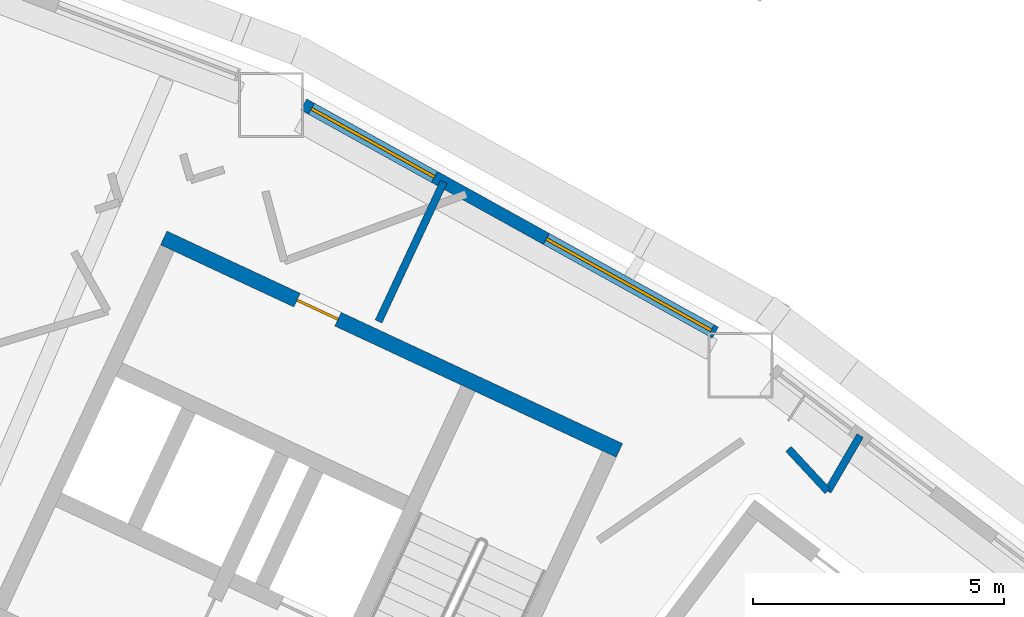
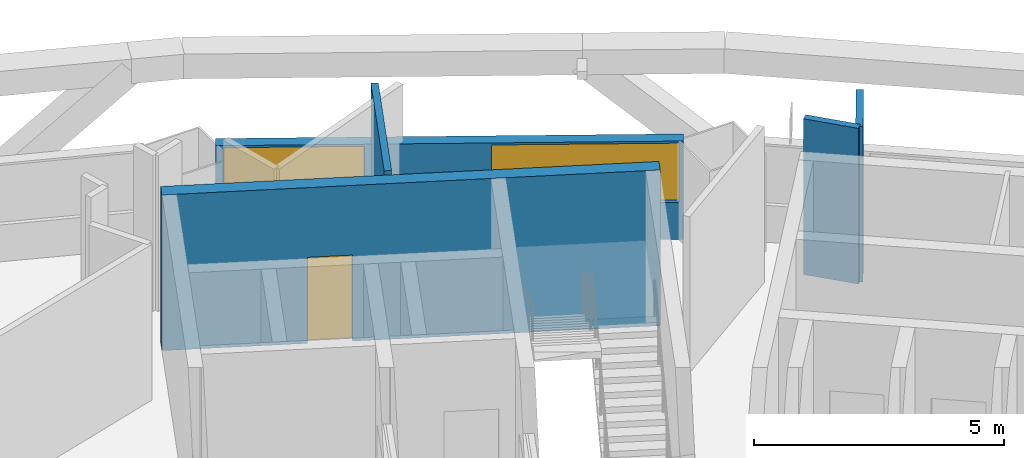
# One storey, part 8 of 19: 5 walls, 2 windows, 1 door, 3 openings.
"""IFC4 building model written with IfcOpenShell, lengths in metres."""

from ifc_helpers import new_model, si_unit, direction, frame, frame_2d, origin, place, context, subcontext, project, spatial, rectangle, extrude, material, layer, layer_set, type_object, element, fill, save


model = new_model("IFC4")

# Units and contexts
model_context = context("Model", 3, precision=1e-05, world=origin(), true_north=direction((0.0, 1.0)))
body_context = subcontext(model_context, "Body", "Model", "MODEL_VIEW")
ifc_project = project(units=[si_unit("LENGTHUNIT", "METRE"), si_unit("AREAUNIT", "SQUARE_METRE"), si_unit("VOLUMEUNIT", "CUBIC_METRE"), si_unit("PLANEANGLEUNIT", "RADIAN"), si_unit("MASSUNIT", "GRAM", prefix="KILO")], contexts=[model_context])

# Site, building, storey
site_placement = place(None, origin())
site = spatial("IfcSite", under=ifc_project, at=site_placement, CompositionType="ELEMENT")
building_placement = place(site_placement, origin())
building = spatial("IfcBuilding", under=site, at=building_placement, Name="Tuul Gate Civic Tower", CompositionType="ELEMENT")
storey_placement = place(building_placement, frame((0.0, 0.0, 56.699951171875)))
storey = spatial("IfcBuildingStorey", under=building, at=storey_placement, Name="Level 12", CompositionType="ELEMENT", Elevation=56.699951171875)

# Wall, opening, door
ifc_material_1 = material(Name="Concrete C50/60", Category="concrete")
ifc_layer_1 = layer(ifc_material_1, 0.300048828125)
ifc_layer_set_1 = layer_set([ifc_layer_1], Name="Concrete C50/60")
wall_type_1 = type_object("IfcWallType", Name="Core wall C50/60", PredefinedType="SHEAR", material=ifc_layer_set_1)
wall_1_placement = place(storey_placement, frame((37.993408203125, 0.181884765625, 0.0), z_axis=(0.0, 0.0, 1.0), x_axis=(-0.906310338845, 0.422612789327, 0.0)))
wall_1 = element("IfcWall", 1, at=wall_1_placement, inside=storey, type_object=wall_type_1, Name="Core wall", PredefinedType="SHEAR", context=body_context, shape_type="SweptSolid", body=[
    extrude(rectangle(XDim=9.999755859375, YDim=0.300048828125, at=frame_2d((5.0, 0.0))), origin(), (0.0, 0.0, 1.0), 3.800048828125),
])
opening_1_placement = place(wall_1_placement, frame((6.175048828125, 0.0, 0.0)))
opening_1 = element("IfcOpeningElement", 2, at=opening_1_placement, cuts=wall_1, Name="Opening C-D19", PredefinedType="OPENING", context=body_context, shape_type="SweptSolid", body=[
    extrude(rectangle(XDim=0.89990234375, YDim=2.10009765625, at=frame_2d((0.449951171875, 1.050048828125))), frame((0.0, 0.16015625, 0.0), z_axis=(0.0, -1.0, 0.0), x_axis=(1.0, 0.0, 0.0)), (0.0, 0.0, 1.0), 0.320068359375),
])
ifc_material_2 = material(Name="Timber door leaf", Category="wood")
door_type = type_object("IfcDoorType", Name="Door D09", OperationType="NOTDEFINED", PredefinedType="DOOR", material=ifc_material_2)
door_placement = place(opening_1_placement, origin())
door = element("IfcDoor", 3, at=door_placement, inside=storey, type_object=door_type, Name="Door C-D19", OperationType="SINGLE_SWING_LEFT", OverallHeight=2.10009765625, OverallWidth=0.89990234375, PredefinedType="DOOR", context=body_context, shape_type="SweptSolid", body=[
    extrude(rectangle(XDim=0.89990234375, YDim=2.10009765625, at=frame_2d((0.449951171875, 1.050048828125))), frame((0.0, 0.02490234375, 0.0), z_axis=(0.0, -1.0, 0.0), x_axis=(1.0, 0.0, 0.0)), (0.0, 0.0, 1.0), 0.050048828125),
])
fill(opening_1, door)

# Walls
ifc_material_3 = material(Name="Gypsum board partition")
ifc_layer_2 = layer(ifc_material_3, 0.14990234375)
ifc_layer_set_2 = layer_set([ifc_layer_2], Name="Gypsum board partition")
wall_type_2 = type_object("IfcWallType", Name="Corridor wall P150", PredefinedType="PARTITIONING", material=ifc_layer_set_2)
wall_2_placement = place(storey_placement, frame((42.136962890625, -0.62890625, 0.0), z_axis=(0.0, 0.0, 1.0), x_axis=(0.503136720549, 0.864206827348, 0.0)))
element("IfcWall", 4, at=wall_2_placement, inside=storey, type_object=wall_type_2, Name="p012", PredefinedType="PARTITIONING", context=body_context, shape_type="SweptSolid", body=[
    extrude(rectangle(XDim=1.281982421875, YDim=0.14990234375, at=frame_2d((0.64111328125, 0.0))), origin(), (0.0, 0.0, 1.0), 3.800048828125),
])
wall_3_placement = place(storey_placement, frame((41.355712890625, 0.2119140625, 0.0), z_axis=(0.0, 0.0, 1.0), x_axis=(0.680679513536, -0.732581326443, 0.0)))
element("IfcWall", 5, at=wall_3_placement, inside=storey, type_object=wall_type_2, Name="p013", PredefinedType="PARTITIONING", context=body_context, shape_type="SweptSolid", body=[
    extrude(rectangle(XDim=1.147705078125, YDim=0.14990234375, at=frame_2d((0.57373046875, 0.0))), origin(), (0.0, 0.0, 1.0), 3.800048828125),
])
wall_4_placement = place(storey_placement, frame((33.202880859375, 2.7470703125, 0.0), z_axis=(0.0, 0.0, 1.0), x_axis=(0.423099072166, 0.906083426144, 0.0)))
element("IfcWall", 6, at=wall_4_placement, inside=storey, type_object=wall_type_2, Name="p015", PredefinedType="PARTITIONING", context=body_context, shape_type="SweptSolid", body=[
    extrude(rectangle(XDim=3.065673828125, YDim=0.14990234375, at=frame_2d((1.53271484375, 0.0))), origin(), (0.0, 0.0, 1.0), 3.800048828125),
])

# Wall, openings, windows
ifc_material_4 = material(Name="Precast concrete C40/50", Category="concrete")
ifc_layer_3 = layer(ifc_material_4, 0.25)
ifc_layer_set_3 = layer_set([ifc_layer_3], Name="Precast concrete C40/50")
wall_type_3 = type_object("IfcWallType", Name="External wall 2400 HIGH", PredefinedType="STANDARD", material=ifc_layer_set_3)
wall_5_placement = place(storey_placement, frame((39.900390625, 2.52587890625, 0.0), z_axis=(0.0, 0.0, 1.0), x_axis=(-0.87462564428, 0.484798909206, 0.0)))
wall_5 = element("IfcWall", 7, at=wall_5_placement, inside=storey, type_object=wall_type_3, Name="External wall", PredefinedType="STANDARD", context=body_context, shape_type="SweptSolid", body=[
    extrude(rectangle(XDim=9.35986328125, YDim=0.25, at=frame_2d((4.679931640625, 0.0))), origin(), (0.0, 0.0, 1.0), 2.400146484375),
])
opening_2_placement = place(wall_5_placement, frame((0.092041015625, 0.0, 0.89990234375)))
opening_2 = element("IfcOpeningElement", 8, at=opening_2_placement, cuts=wall_5, Name="Opening W104", PredefinedType="OPENING", context=body_context, shape_type="SweptSolid", body=[
    extrude(rectangle(XDim=3.75, YDim=1.449951171875, at=frame_2d((1.875, 0.72509765625))), frame((0.0, 0.135009765625, 0.0), z_axis=(0.0, -1.0, 0.0), x_axis=(1.0, 0.0, 0.0)), (0.0, 0.0, 1.0), 0.27001953125),
])
opening_3_placement = place(wall_5_placement, frame((6.385986328125, 0.0, 0.89990234375)))
opening_3 = element("IfcOpeningElement", 9, at=opening_3_placement, cuts=wall_5, Name="Opening W110", PredefinedType="OPENING", context=body_context, shape_type="SweptSolid", body=[
    extrude(rectangle(XDim=2.800048828125, YDim=1.449951171875, at=frame_2d((1.39990234375, 0.72509765625))), frame((0.0, 0.135009765625, 0.0), z_axis=(0.0, -1.0, 0.0), x_axis=(1.0, 0.0, 0.0)), (0.0, 0.0, 1.0), 0.27001953125),
])
ifc_material_5 = material(Name="Glass", Category="glass")
window_type_1 = type_object("IfcWindowType", Name="Window W104 3750 x 1450", PartitioningType="SINGLE_PANEL", PredefinedType="WINDOW", material=ifc_material_5)
window_1_placement = place(opening_2_placement, origin())
window_1 = element("IfcWindow", 10, at=window_1_placement, inside=storey, type_object=window_type_1, Name="Window", OverallHeight=1.449951171875, OverallWidth=3.75, PartitioningType="SINGLE_PANEL", PredefinedType="WINDOW", context=body_context, shape_type="SweptSolid", body=[
    extrude(rectangle(XDim=3.75, YDim=1.449951171875, at=frame_2d((1.875, 0.72509765625))), frame((0.0, 0.030029296875, 0.0), z_axis=(0.0, -1.0, 0.0), x_axis=(1.0, 0.0, 0.0)), (0.0, 0.0, 1.0), 0.06005859375),
])
fill(opening_2, window_1)
ifc_material_6 = material(Name="Glass", Category="glass")
window_type_2 = type_object("IfcWindowType", Name="Window W110 2800 x 1450", PartitioningType="SINGLE_PANEL", PredefinedType="WINDOW", material=ifc_material_6)
window_2_placement = place(opening_3_placement, origin())
window_2 = element("IfcWindow", 11, at=window_2_placement, inside=storey, type_object=window_type_2, Name="Window", OverallHeight=1.449951171875, OverallWidth=2.800048828125, PartitioningType="SINGLE_PANEL", PredefinedType="WINDOW", context=body_context, shape_type="SweptSolid", body=[
    extrude(rectangle(XDim=2.800048828125, YDim=1.449951171875, at=frame_2d((1.39990234375, 0.72509765625))), frame((0.0, 0.030029296875, 0.0), z_axis=(0.0, -1.0, 0.0), x_axis=(1.0, 0.0, 0.0)), (0.0, 0.0, 1.0), 0.06005859375),
])
fill(opening_3, window_2)

save(model, "model.ifc")
